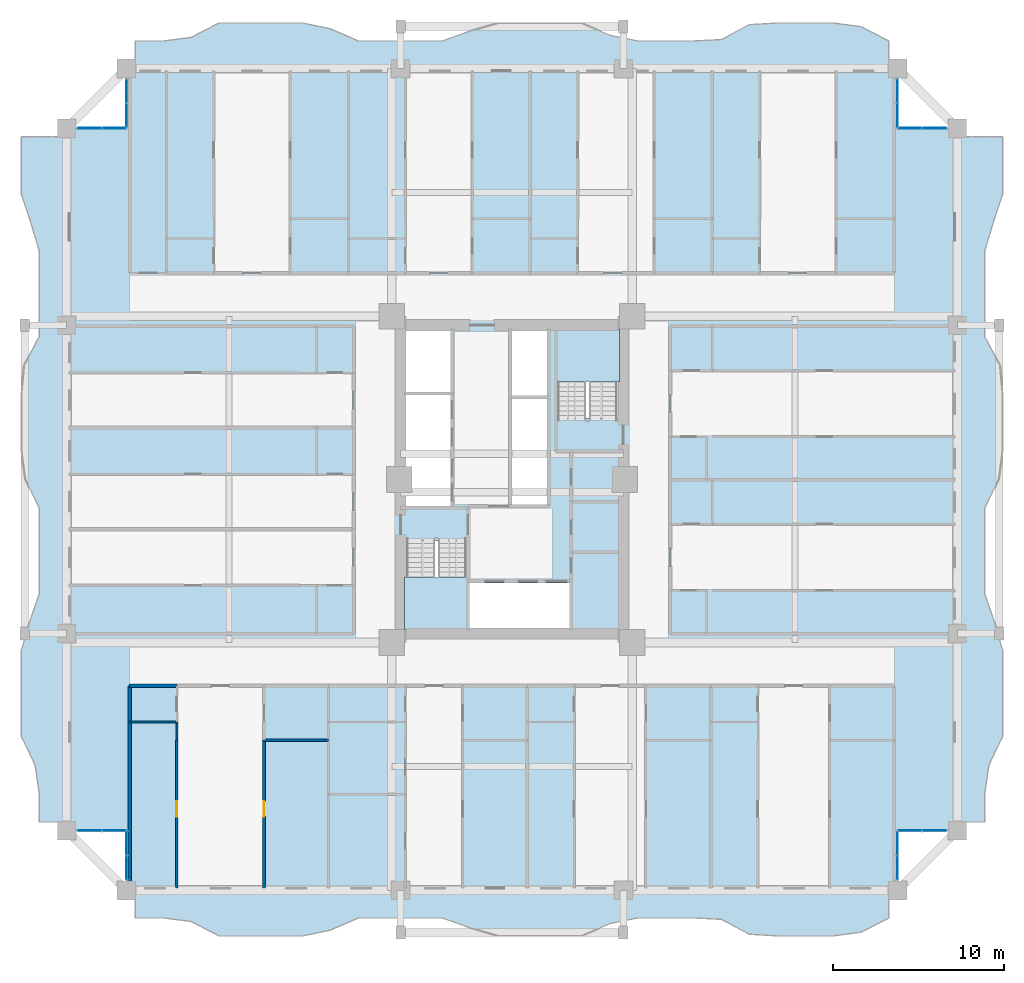
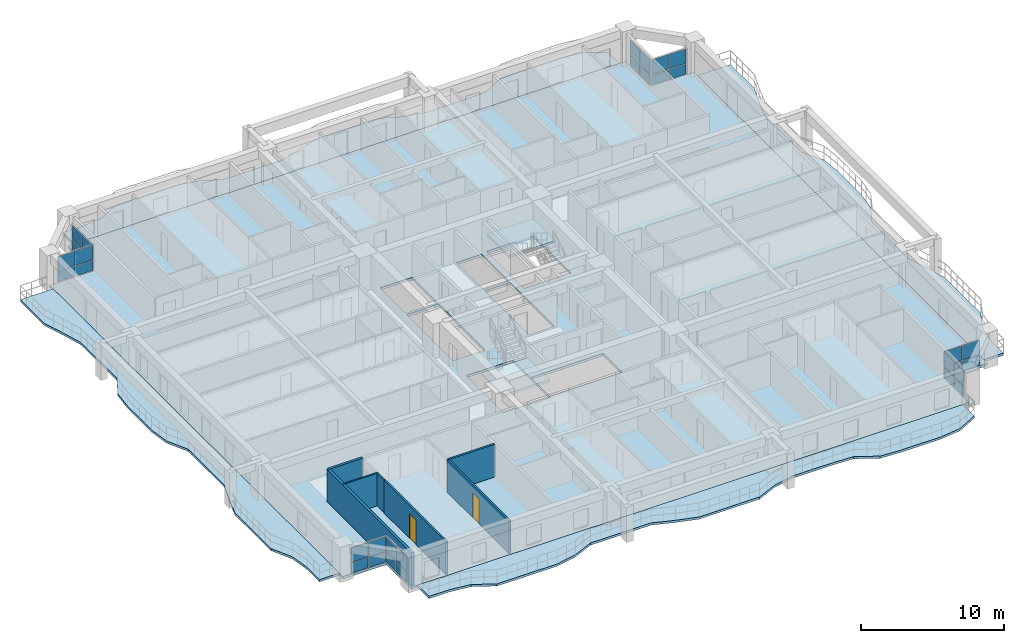
# One storey, part 13 of 27: 32 plates, 7 slabs, 7 walls, 2 doors, 2 openings, 10 elements without a shape of their own.
"""IFC4 building model written with IfcOpenShell, lengths in metres."""

from ifc_helpers import new_model, si_unit, direction, frame, frame_2d, origin, origin_2d, place, context, subcontext, project, spatial, polyline, rectangle, outline, extrude, source, transform, mapped, material, layer, layer_set, type_object, element, fill, aggregate, save


model = new_model("IFC4")

# Units and contexts
model_context = context("Model", 3, precision=1e-05, world=origin(), true_north=direction((0.0, 1.0)))
body_context = subcontext(model_context, "Body", "Model", "MODEL_VIEW")
ifc_project = project(units=[si_unit("LENGTHUNIT", "METRE"), si_unit("AREAUNIT", "SQUARE_METRE"), si_unit("VOLUMEUNIT", "CUBIC_METRE"), si_unit("PLANEANGLEUNIT", "RADIAN"), si_unit("MASSUNIT", "GRAM", prefix="KILO")], contexts=[model_context])

# Site, building, storey
site_placement = place(None, origin())
site = spatial("IfcSite", under=ifc_project, at=site_placement, CompositionType="ELEMENT")
building_placement = place(site_placement, origin())
building = spatial("IfcBuilding", under=site, at=building_placement, Name="Saelheon Loggia Tower", CompositionType="ELEMENT")
storey_placement = place(building_placement, frame((0.0, 0.0, 34.39990234375)))
storey = spatial("IfcBuildingStorey", under=building, at=storey_placement, Name="L10", CompositionType="ELEMENT", Elevation=34.39990234375)

# Slabs
ifc_material_1 = material(Name="Precast Concrete C45/55", Category="concrete")
ifc_layer_1 = layer(ifc_material_1, 0.18994140625)
ifc_layer_set_1 = layer_set([ifc_layer_1], Name="Precast Concrete C45/55")
slab_type_1 = type_object("IfcSlabType", Name="Slab_Loggia_Ext_190", PredefinedType="FLOOR", material=ifc_layer_set_1)
slab_1_placement = place(storey_placement, frame((0.0, 0.0, -0.18994140625)))
element("IfcSlab", 1, at=slab_1_placement, inside=storey, type_object=slab_type_1, Name="L10 Loggia Balcony Slab S", PredefinedType="FLOOR", context=body_context, shape_type="SweptSolid", body=[
    extrude(outline(polyline([(16.0, 1.39990234375), (17.629638671875, 1.39990234375), (19.25927734375, 1.194580078125), (20.888916015625, 0.35009765625), (22.5185546875, 0.35009765625), (24.148193359375, 0.35009765625), (25.77783203125, 0.35009765625), (27.407470703125, 0.69140625), (29.037109375, 1.39990234375), (30.666748046875, 1.39990234375), (32.29638671875, 1.39990234375), (33.92578125, 1.39990234375), (35.5556640625, 0.81982421875), (37.185302734375, 0.35009765625), (38.814697265625, 0.35009765625), (40.4443359375, 0.35009765625), (42.07421875, 0.35009765625), (43.70361328125, 1.068603515625), (45.333251953125, 1.39990234375), (46.962890625, 1.39990234375), (48.592529296875, 1.39990234375), (50.22216796875, 1.3173828125), (51.851806640625, 0.447509765625), (53.4814453125, 0.35009765625), (55.111083984375, 0.35009765625), (56.74072265625, 0.35009765625), (58.370361328125, 0.564208984375), (60.0, 1.39990234375), (60.0, 3.0), (16.0, 3.0), (16.0, 1.39990234375)])), origin(), (0.0, 0.0, 1.0), 0.18994140625),
])
slab_2_placement = place(storey_placement, frame((0.0, 0.0, -0.18994140625)))
element("IfcSlab", 2, at=slab_2_placement, inside=storey, type_object=slab_type_1, Name="L10 Loggia Balcony Slab N", PredefinedType="FLOOR", context=body_context, shape_type="SweptSolid", body=[
    extrude(outline(polyline([(16.0, 51.0), (60.0, 51.0), (60.0, 52.60009765625), (58.370361328125, 53.435791015625), (56.74072265625, 53.64990234375), (55.111083984375, 53.64990234375), (53.4814453125, 53.64990234375), (51.851806640625, 53.552490234375), (50.22216796875, 52.6826171875), (48.592529296875, 52.60009765625), (46.962890625, 52.60009765625), (45.333251953125, 52.60009765625), (43.70361328125, 52.931396484375), (42.07421875, 53.64990234375), (40.4443359375, 53.64990234375), (38.814697265625, 53.64990234375), (37.185302734375, 53.64990234375), (35.5556640625, 53.18017578125), (33.92578125, 52.60009765625), (32.29638671875, 52.60009765625), (30.666748046875, 52.60009765625), (29.037109375, 52.60009765625), (27.407470703125, 53.30859375), (25.77783203125, 53.64990234375), (24.148193359375, 53.64990234375), (22.5185546875, 53.64990234375), (20.888916015625, 53.64990234375), (19.25927734375, 52.805419921875), (17.629638671875, 52.60009765625), (16.0, 52.60009765625), (16.0, 51.0)])), origin(), (0.0, 0.0, 1.0), 0.18994140625),
])
slab_3_placement = place(storey_placement, frame((0.0, 0.0, -0.18994140625)))
element("IfcSlab", 3, at=slab_3_placement, inside=storey, type_object=slab_type_1, Name="L10 Loggia Balcony Slab E", PredefinedType="FLOOR", context=body_context, shape_type="SweptSolid", body=[
    extrude(outline(polyline([(64.0, 7.0), (65.60009765625, 7.0), (65.60009765625, 8.666748046875), (65.844482421875, 10.333251953125), (66.64990234375, 12.0), (66.64990234375, 13.666748046875), (66.64990234375, 15.333251953125), (66.64990234375, 17.0), (66.168212890625, 18.666748046875), (65.60009765625, 20.333251953125), (65.60009765625, 22.0), (65.60009765625, 23.666748046875), (65.60009765625, 25.333251953125), (66.419921875, 27.0), (66.64990234375, 28.666748046875), (66.64990234375, 30.333251953125), (66.64990234375, 32.0), (66.490478515625, 33.666748046875), (65.604248046875, 35.333251953125), (65.60009765625, 37.0), (65.60009765625, 38.666748046875), (65.60009765625, 40.333251953125), (66.095703125, 42.0), (66.64990234375, 43.666748046875), (66.64990234375, 45.333251953125), (66.64990234375, 47.0), (64.0, 47.0), (64.0, 7.0)])), origin(), (0.0, 0.0, 1.0), 0.18994140625),
])
slab_4_placement = place(storey_placement, frame((0.0, 0.0, -0.18994140625)))
element("IfcSlab", 4, at=slab_4_placement, inside=storey, type_object=slab_type_1, Name="L10 Loggia Balcony Slab W", PredefinedType="FLOOR", context=body_context, shape_type="SweptSolid", body=[
    extrude(outline(polyline([(12.0, 7.0), (12.0, 47.0), (9.35009765625, 47.0), (9.35009765625, 45.333251953125), (9.35009765625, 43.666748046875), (9.904296875, 42.0), (10.39990234375, 40.333251953125), (10.39990234375, 38.666748046875), (10.39990234375, 37.0), (10.395751953125, 35.333251953125), (9.509521484375, 33.666748046875), (9.35009765625, 32.0), (9.35009765625, 30.333251953125), (9.35009765625, 28.666748046875), (9.580078125, 27.0), (10.39990234375, 25.333251953125), (10.39990234375, 23.666748046875), (10.39990234375, 22.0), (10.39990234375, 20.333251953125), (9.831787109375, 18.666748046875), (9.35009765625, 17.0), (9.35009765625, 15.333251953125), (9.35009765625, 13.666748046875), (9.35009765625, 12.0), (10.155517578125, 10.333251953125), (10.39990234375, 8.666748046875), (10.39990234375, 7.0), (12.0, 7.0)])), origin(), (0.0, 0.0, 1.0), 0.18994140625),
])

# Stair, slab
ifc_material_2 = material(Name="Concrete C40/50", Category="concrete")
stair_type = type_object("IfcStairType", Name="Stair_Escape_Core", PredefinedType="HALF_TURN_STAIR", material=ifc_material_2)
stair_1_placement = place(storey_placement, origin())
stair_1 = element("IfcStair", 5, at=stair_1_placement, inside=storey, type_object=stair_type, Name="L10 Special Escape Stair ST1", PredefinedType="HALF_TURN_STAIR")
ifc_layer_2 = layer(ifc_material_2, 0.199951171875)
ifc_layer_set_2 = layer_set([ifc_layer_2], Name="Concrete C40/50")
slab_type_2 = type_object("IfcSlabType", Name="Slab_StairLanding_ST1", PredefinedType="LANDING", material=ifc_layer_set_2)
slab_5_placement = place(storey_placement, frame((0.0, 0.0, 1.300048828125)))
slab_5 = element("IfcSlab", 6, at=slab_5_placement, type_object=slab_type_2, Name="ST1 landing 1", PredefinedType="LANDING", context=body_context, shape_type="SweptSolid", body=[
    extrude(outline(polyline([(31.7099609375, 21.31005859375), (31.7099609375, 18.2099609375), (35.469970703125, 18.2099609375), (35.469970703125, 21.31005859375), (31.7099609375, 21.31005859375)])), origin(), (0.0, 0.0, 1.0), 0.199951171875),
])
aggregate(stair_1, [slab_5])

stair_2_placement = place(storey_placement, origin())
stair_2 = element("IfcStair", 7, at=stair_2_placement, inside=storey, type_object=stair_type, Name="L10 Special Escape Stair ST2", PredefinedType="HALF_TURN_STAIR")
ifc_layer_3 = layer(ifc_material_2, 0.199951171875)
ifc_layer_set_3 = layer_set([ifc_layer_3], Name="Concrete C40/50")
slab_type_3 = type_object("IfcSlabType", Name="Slab_StairLanding_ST2", PredefinedType="LANDING", material=ifc_layer_set_3)
slab_6_placement = place(storey_placement, frame((0.0, 0.0, 1.300048828125)))
slab_6 = element("IfcSlab", 8, at=slab_6_placement, type_object=slab_type_3, Name="ST2 landing 1", PredefinedType="LANDING", context=body_context, shape_type="SweptSolid", body=[
    extrude(outline(polyline([(44.2900390625, 32.68994140625), (44.2900390625, 35.7900390625), (40.530029296875, 35.7900390625), (40.530029296875, 32.68994140625), (44.2900390625, 32.68994140625)])), origin(), (0.0, 0.0, 1.0), 0.199951171875),
])
aggregate(stair_2, [slab_6])

# Slab
ifc_layer_4 = layer(ifc_material_2, 0.2099609375)
ifc_layer_set_4 = layer_set([ifc_layer_4], Name="Concrete C40/50")
slab_type_4 = type_object("IfcSlabType", Name="Slab_Tower_210", PredefinedType="FLOOR", material=ifc_layer_set_4)
slab_7_placement = place(storey_placement, frame((0.0, 0.0, -0.2099609375)))
element("IfcSlab", 9, at=slab_7_placement, inside=storey, type_object=slab_type_4, Name="L10 Tower Floor Slab", PredefinedType="FLOOR", context=body_context, shape_type="SweptSolid", body=[
    extrude(outline(polyline([(15.5, 3.0), (60.5, 3.0), (60.5, 6.5), (64.0, 6.5), (64.0, 47.5), (60.5, 47.5), (60.5, 51.0), (15.5, 51.0), (15.5, 47.5), (12.0, 47.5), (12.0, 6.5), (15.5, 6.5), (15.5, 3.0)]), holes=[polyline([(31.699951171875, 23.409912109375), (31.699951171875, 18.199951171875), (35.47998046875, 18.199951171875), (35.47998046875, 23.409912109375), (31.699951171875, 23.409912109375)]), polyline([(44.300048828125, 30.590087890625), (44.300048828125, 35.800048828125), (40.52001953125, 35.800048828125), (40.52001953125, 30.590087890625), (44.300048828125, 30.590087890625)]), polyline([(35.530029296875, 18.324951171875), (41.35009765625, 18.324951171875), (41.35009765625, 20.9599609375), (35.530029296875, 20.9599609375), (35.530029296875, 18.324951171875)]), polyline([(31.824951171875, 32.1201171875), (34.419921875, 32.1201171875), (34.419921875, 35.675048828125), (31.824951171875, 35.675048828125), (31.824951171875, 32.1201171875)]), polyline([(38.0, 31.89990234375), (40.050048828125, 31.89990234375), (40.050048828125, 35.675048828125), (38.0, 35.675048828125), (38.0, 31.89990234375)]), polyline([(31.824951171875, 25.449951171875), (34.419921875, 25.449951171875), (34.419921875, 31.919921875), (31.824951171875, 31.919921875), (31.824951171875, 25.449951171875)]), polyline([(38.0, 25.5400390625), (40.050048828125, 25.5400390625), (40.050048828125, 31.699951171875), (38.0, 31.699951171875), (38.0, 25.5400390625)])]), origin(), (0.0, 0.0, 1.0), 0.2099609375),
])

# Curtain wall, plates
ifc_material_3 = material(Name="Thermal-Break Aluminium and Triple Low-E Glass", Category="aluminium")
ifc_layer_5 = layer(ifc_material_3, 0.159912109375)
ifc_layer_set_5 = layer_set([ifc_layer_5], Name="Thermal-Break Aluminium and Triple Low-E Glass")
curtain_wall_type = type_object("IfcCurtainWallType", Name="CW_TowerLoggiaLow", PredefinedType="NOTDEFINED", material=ifc_layer_set_5)
curtain_wall_1_placement = place(storey_placement, origin())
curtain_wall_1 = element("IfcCurtainWall", 10, at=curtain_wall_1_placement, inside=storey, type_object=curtain_wall_type, Name="L10 Corner Notch Glazing SW1", PredefinedType="NOTDEFINED")
ifc_material_4 = material(Name="Triple Low-E Laminated Glazing", Category="glass")
ifc_layer_6 = layer(ifc_material_4, 0.0419921875)
ifc_layer_set_6 = layer_set([ifc_layer_6], Name="Triple Low-E Laminated Glazing")
plate_type = type_object("IfcPlateType", Name="CW_TowerLoggiaLow_Panel", PredefinedType="CURTAIN_PANEL", material=ifc_layer_set_6)
shared_shape_1 = source(origin(), body_context, "Body", "SweptSolid", [
    extrude(rectangle(XDim=1.357421875, YDim=0.0419921875, at=origin_2d()), origin(), (0.0, 0.0, 1.0), 0.8525390625),
])
plate_1_placement = place(storey_placement, frame((15.5, 4.333740234375, 0.065185546875), z_axis=(0.0, 0.0, 1.0), x_axis=(0.0, 1.0, 0.0)))
plate_1 = element("IfcPlate", 11, at=plate_1_placement, type_object=plate_type, Name="CW3 panel 1.1", PredefinedType="CURTAIN_PANEL", context=body_context, shape_type="MappedRepresentation", body=[
    mapped(shared_shape_1, transform((0.0, 0.0, 0.0), scale=1.0)),
])
plate_2_placement = place(storey_placement, frame((15.5, 5.75634765625, 0.065185546875), z_axis=(0.0, 0.0, 1.0), x_axis=(0.0, 1.0, 0.0)))
plate_2 = element("IfcPlate", 12, at=plate_2_placement, type_object=plate_type, Name="CW3 panel 2.1", PredefinedType="CURTAIN_PANEL", context=body_context, shape_type="MappedRepresentation", body=[
    mapped(shared_shape_1, transform((0.0, 0.0, 0.0), scale=1.0)),
])

curtain_wall_2_placement = place(storey_placement, origin())
curtain_wall_2 = element("IfcCurtainWall", 13, at=curtain_wall_2_placement, inside=storey, type_object=curtain_wall_type, Name="L10 Corner Notch Glazing SW2", PredefinedType="NOTDEFINED")
plate_3_placement = place(storey_placement, frame((13.333740234375, 6.5, 0.065185546875), z_axis=(0.0, 0.0, 1.0), x_axis=(1.0, 0.0, 0.0)))
plate_3 = element("IfcPlate", 14, at=plate_3_placement, type_object=plate_type, Name="CW3 panel 1.1", PredefinedType="CURTAIN_PANEL", context=body_context, shape_type="MappedRepresentation", body=[
    mapped(shared_shape_1, transform((0.0, 0.0, 0.0), scale=1.0)),
])
plate_4_placement = place(storey_placement, frame((14.75634765625, 6.5, 0.065185546875), z_axis=(0.0, 0.0, 1.0), x_axis=(1.0, 0.0, 0.0)))
plate_4 = element("IfcPlate", 15, at=plate_4_placement, type_object=plate_type, Name="CW3 panel 2.1", PredefinedType="CURTAIN_PANEL", context=body_context, shape_type="MappedRepresentation", body=[
    mapped(shared_shape_1, transform((0.0, 0.0, 0.0), scale=1.0)),
])

curtain_wall_3_placement = place(storey_placement, origin())
curtain_wall_3 = element("IfcCurtainWall", 16, at=curtain_wall_3_placement, inside=storey, type_object=curtain_wall_type, Name="L10 Corner Notch Glazing SE1", PredefinedType="NOTDEFINED")
plate_5_placement = place(storey_placement, frame((60.5, 4.333740234375, 0.065185546875), z_axis=(0.0, 0.0, 1.0), x_axis=(0.0, 1.0, 0.0)))
plate_5 = element("IfcPlate", 17, at=plate_5_placement, type_object=plate_type, Name="CW3 panel 1.1", PredefinedType="CURTAIN_PANEL", context=body_context, shape_type="MappedRepresentation", body=[
    mapped(shared_shape_1, transform((0.0, 0.0, 0.0), scale=1.0)),
])
plate_6_placement = place(storey_placement, frame((60.5, 5.75634765625, 0.065185546875), z_axis=(0.0, 0.0, 1.0), x_axis=(0.0, 1.0, 0.0)))
plate_6 = element("IfcPlate", 18, at=plate_6_placement, type_object=plate_type, Name="CW3 panel 2.1", PredefinedType="CURTAIN_PANEL", context=body_context, shape_type="MappedRepresentation", body=[
    mapped(shared_shape_1, transform((0.0, 0.0, 0.0), scale=1.0)),
])

curtain_wall_4_placement = place(storey_placement, origin())
curtain_wall_4 = element("IfcCurtainWall", 19, at=curtain_wall_4_placement, inside=storey, type_object=curtain_wall_type, Name="L10 Corner Notch Glazing SE2", PredefinedType="NOTDEFINED")
plate_7_placement = place(storey_placement, frame((61.24365234375, 6.5, 0.065185546875), z_axis=(0.0, 0.0, 1.0), x_axis=(1.0, 0.0, 0.0)))
plate_7 = element("IfcPlate", 20, at=plate_7_placement, type_object=plate_type, Name="CW3 panel 1.1", PredefinedType="CURTAIN_PANEL", context=body_context, shape_type="MappedRepresentation", body=[
    mapped(shared_shape_1, transform((0.0, 0.0, 0.0), scale=1.0)),
])
plate_8_placement = place(storey_placement, frame((62.666259765625, 6.5, 0.065185546875), z_axis=(0.0, 0.0, 1.0), x_axis=(1.0, 0.0, 0.0)))
plate_8 = element("IfcPlate", 21, at=plate_8_placement, type_object=plate_type, Name="CW3 panel 2.1", PredefinedType="CURTAIN_PANEL", context=body_context, shape_type="MappedRepresentation", body=[
    mapped(shared_shape_1, transform((0.0, 0.0, 0.0), scale=1.0)),
])

curtain_wall_5_placement = place(storey_placement, origin())
curtain_wall_5 = element("IfcCurtainWall", 22, at=curtain_wall_5_placement, inside=storey, type_object=curtain_wall_type, Name="L10 Corner Notch Glazing NW1", PredefinedType="NOTDEFINED")
plate_9_placement = place(storey_placement, frame((15.5, 48.24365234375, 0.065185546875), z_axis=(0.0, 0.0, 1.0), x_axis=(0.0, 1.0, 0.0)))
plate_9 = element("IfcPlate", 23, at=plate_9_placement, type_object=plate_type, Name="CW3 panel 1.1", PredefinedType="CURTAIN_PANEL", context=body_context, shape_type="MappedRepresentation", body=[
    mapped(shared_shape_1, transform((0.0, 0.0, 0.0), scale=1.0)),
])
plate_10_placement = place(storey_placement, frame((15.5, 49.666259765625, 0.065185546875), z_axis=(0.0, 0.0, 1.0), x_axis=(0.0, 1.0, 0.0)))
plate_10 = element("IfcPlate", 24, at=plate_10_placement, type_object=plate_type, Name="CW3 panel 2.1", PredefinedType="CURTAIN_PANEL", context=body_context, shape_type="MappedRepresentation", body=[
    mapped(shared_shape_1, transform((0.0, 0.0, 0.0), scale=1.0)),
])

curtain_wall_6_placement = place(storey_placement, origin())
curtain_wall_6 = element("IfcCurtainWall", 25, at=curtain_wall_6_placement, inside=storey, type_object=curtain_wall_type, Name="L10 Corner Notch Glazing NW2", PredefinedType="NOTDEFINED")
plate_11_placement = place(storey_placement, frame((13.333740234375, 47.5, 0.065185546875), z_axis=(0.0, 0.0, 1.0), x_axis=(1.0, 0.0, 0.0)))
plate_11 = element("IfcPlate", 26, at=plate_11_placement, type_object=plate_type, Name="CW3 panel 1.1", PredefinedType="CURTAIN_PANEL", context=body_context, shape_type="MappedRepresentation", body=[
    mapped(shared_shape_1, transform((0.0, 0.0, 0.0), scale=1.0)),
])
plate_12_placement = place(storey_placement, frame((14.75634765625, 47.5, 0.065185546875), z_axis=(0.0, 0.0, 1.0), x_axis=(1.0, 0.0, 0.0)))
plate_12 = element("IfcPlate", 27, at=plate_12_placement, type_object=plate_type, Name="CW3 panel 2.1", PredefinedType="CURTAIN_PANEL", context=body_context, shape_type="MappedRepresentation", body=[
    mapped(shared_shape_1, transform((0.0, 0.0, 0.0), scale=1.0)),
])

curtain_wall_7_placement = place(storey_placement, origin())
curtain_wall_7 = element("IfcCurtainWall", 28, at=curtain_wall_7_placement, inside=storey, type_object=curtain_wall_type, Name="L10 Corner Notch Glazing NE1", PredefinedType="NOTDEFINED")
plate_13_placement = place(storey_placement, frame((60.5, 48.24365234375, 0.065185546875), z_axis=(0.0, 0.0, 1.0), x_axis=(0.0, 1.0, 0.0)))
plate_13 = element("IfcPlate", 29, at=plate_13_placement, type_object=plate_type, Name="CW3 panel 1.1", PredefinedType="CURTAIN_PANEL", context=body_context, shape_type="MappedRepresentation", body=[
    mapped(shared_shape_1, transform((0.0, 0.0, 0.0), scale=1.0)),
])
plate_14_placement = place(storey_placement, frame((60.5, 49.666259765625, 0.065185546875), z_axis=(0.0, 0.0, 1.0), x_axis=(0.0, 1.0, 0.0)))
plate_14 = element("IfcPlate", 30, at=plate_14_placement, type_object=plate_type, Name="CW3 panel 2.1", PredefinedType="CURTAIN_PANEL", context=body_context, shape_type="MappedRepresentation", body=[
    mapped(shared_shape_1, transform((0.0, 0.0, 0.0), scale=1.0)),
])

curtain_wall_8_placement = place(storey_placement, origin())
curtain_wall_8 = element("IfcCurtainWall", 31, at=curtain_wall_8_placement, inside=storey, type_object=curtain_wall_type, Name="L10 Corner Notch Glazing NE2", PredefinedType="NOTDEFINED")
plate_15_placement = place(storey_placement, frame((61.24365234375, 47.5, 0.065185546875), z_axis=(0.0, 0.0, 1.0), x_axis=(1.0, 0.0, 0.0)))
plate_15 = element("IfcPlate", 32, at=plate_15_placement, type_object=plate_type, Name="CW3 panel 1.1", PredefinedType="CURTAIN_PANEL", context=body_context, shape_type="MappedRepresentation", body=[
    mapped(shared_shape_1, transform((0.0, 0.0, 0.0), scale=1.0)),
])
plate_16_placement = place(storey_placement, frame((62.666259765625, 47.5, 0.065185546875), z_axis=(0.0, 0.0, 1.0), x_axis=(1.0, 0.0, 0.0)))
plate_16 = element("IfcPlate", 33, at=plate_16_placement, type_object=plate_type, Name="CW3 panel 2.1", PredefinedType="CURTAIN_PANEL", context=body_context, shape_type="MappedRepresentation", body=[
    mapped(shared_shape_1, transform((0.0, 0.0, 0.0), scale=1.0)),
])

# Plate
shared_shape_2 = source(origin(), body_context, "Body", "SweptSolid", [
    extrude(rectangle(XDim=1.357421875, YDim=0.0419921875, at=origin_2d()), origin(), (0.0, 0.0, 1.0), 1.232421875),
])
plate_17_placement = place(storey_placement, frame((15.5, 4.333740234375, 0.982666015625), z_axis=(0.0, 0.0, 1.0), x_axis=(0.0, 1.0, 0.0)))
plate_17 = element("IfcPlate", 34, at=plate_17_placement, type_object=plate_type, Name="CW3 panel 1.2", PredefinedType="CURTAIN_PANEL", context=body_context, shape_type="MappedRepresentation", body=[
    mapped(shared_shape_2, transform((0.0, 0.0, 0.0), scale=1.0)),
])

plate_18_placement = place(storey_placement, frame((15.5, 5.75634765625, 0.982666015625), z_axis=(0.0, 0.0, 1.0), x_axis=(0.0, 1.0, 0.0)))
plate_18 = element("IfcPlate", 35, at=plate_18_placement, type_object=plate_type, Name="CW3 panel 2.2", PredefinedType="CURTAIN_PANEL", context=body_context, shape_type="MappedRepresentation", body=[
    mapped(shared_shape_2, transform((0.0, 0.0, 0.0), scale=1.0)),
])

aggregate(curtain_wall_1, [plate_1, plate_17, plate_2, plate_18])

plate_19_placement = place(storey_placement, frame((13.333740234375, 6.5, 0.982666015625), z_axis=(0.0, 0.0, 1.0), x_axis=(1.0, 0.0, 0.0)))
plate_19 = element("IfcPlate", 36, at=plate_19_placement, type_object=plate_type, Name="CW3 panel 1.2", PredefinedType="CURTAIN_PANEL", context=body_context, shape_type="MappedRepresentation", body=[
    mapped(shared_shape_2, transform((0.0, 0.0, 0.0), scale=1.0)),
])

plate_20_placement = place(storey_placement, frame((14.75634765625, 6.5, 0.982666015625), z_axis=(0.0, 0.0, 1.0), x_axis=(1.0, 0.0, 0.0)))
plate_20 = element("IfcPlate", 37, at=plate_20_placement, type_object=plate_type, Name="CW3 panel 2.2", PredefinedType="CURTAIN_PANEL", context=body_context, shape_type="MappedRepresentation", body=[
    mapped(shared_shape_2, transform((0.0, 0.0, 0.0), scale=1.0)),
])

aggregate(curtain_wall_2, [plate_3, plate_19, plate_4, plate_20])

plate_21_placement = place(storey_placement, frame((60.5, 4.333740234375, 0.982666015625), z_axis=(0.0, 0.0, 1.0), x_axis=(0.0, 1.0, 0.0)))
plate_21 = element("IfcPlate", 38, at=plate_21_placement, type_object=plate_type, Name="CW3 panel 1.2", PredefinedType="CURTAIN_PANEL", context=body_context, shape_type="MappedRepresentation", body=[
    mapped(shared_shape_2, transform((0.0, 0.0, 0.0), scale=1.0)),
])

plate_22_placement = place(storey_placement, frame((60.5, 5.75634765625, 0.982666015625), z_axis=(0.0, 0.0, 1.0), x_axis=(0.0, 1.0, 0.0)))
plate_22 = element("IfcPlate", 39, at=plate_22_placement, type_object=plate_type, Name="CW3 panel 2.2", PredefinedType="CURTAIN_PANEL", context=body_context, shape_type="MappedRepresentation", body=[
    mapped(shared_shape_2, transform((0.0, 0.0, 0.0), scale=1.0)),
])

aggregate(curtain_wall_3, [plate_5, plate_21, plate_6, plate_22])

plate_23_placement = place(storey_placement, frame((61.24365234375, 6.5, 0.982666015625), z_axis=(0.0, 0.0, 1.0), x_axis=(1.0, 0.0, 0.0)))
plate_23 = element("IfcPlate", 40, at=plate_23_placement, type_object=plate_type, Name="CW3 panel 1.2", PredefinedType="CURTAIN_PANEL", context=body_context, shape_type="MappedRepresentation", body=[
    mapped(shared_shape_2, transform((0.0, 0.0, 0.0), scale=1.0)),
])

plate_24_placement = place(storey_placement, frame((62.666259765625, 6.5, 0.982666015625), z_axis=(0.0, 0.0, 1.0), x_axis=(1.0, 0.0, 0.0)))
plate_24 = element("IfcPlate", 41, at=plate_24_placement, type_object=plate_type, Name="CW3 panel 2.2", PredefinedType="CURTAIN_PANEL", context=body_context, shape_type="MappedRepresentation", body=[
    mapped(shared_shape_2, transform((0.0, 0.0, 0.0), scale=1.0)),
])

aggregate(curtain_wall_4, [plate_7, plate_23, plate_8, plate_24])

plate_25_placement = place(storey_placement, frame((15.5, 48.24365234375, 0.982666015625), z_axis=(0.0, 0.0, 1.0), x_axis=(0.0, 1.0, 0.0)))
plate_25 = element("IfcPlate", 42, at=plate_25_placement, type_object=plate_type, Name="CW3 panel 1.2", PredefinedType="CURTAIN_PANEL", context=body_context, shape_type="MappedRepresentation", body=[
    mapped(shared_shape_2, transform((0.0, 0.0, 0.0), scale=1.0)),
])

plate_26_placement = place(storey_placement, frame((15.5, 49.666259765625, 0.982666015625), z_axis=(0.0, 0.0, 1.0), x_axis=(0.0, 1.0, 0.0)))
plate_26 = element("IfcPlate", 43, at=plate_26_placement, type_object=plate_type, Name="CW3 panel 2.2", PredefinedType="CURTAIN_PANEL", context=body_context, shape_type="MappedRepresentation", body=[
    mapped(shared_shape_2, transform((0.0, 0.0, 0.0), scale=1.0)),
])

aggregate(curtain_wall_5, [plate_9, plate_25, plate_10, plate_26])

plate_27_placement = place(storey_placement, frame((13.333740234375, 47.5, 0.982666015625), z_axis=(0.0, 0.0, 1.0), x_axis=(1.0, 0.0, 0.0)))
plate_27 = element("IfcPlate", 44, at=plate_27_placement, type_object=plate_type, Name="CW3 panel 1.2", PredefinedType="CURTAIN_PANEL", context=body_context, shape_type="MappedRepresentation", body=[
    mapped(shared_shape_2, transform((0.0, 0.0, 0.0), scale=1.0)),
])

plate_28_placement = place(storey_placement, frame((14.75634765625, 47.5, 0.982666015625), z_axis=(0.0, 0.0, 1.0), x_axis=(1.0, 0.0, 0.0)))
plate_28 = element("IfcPlate", 45, at=plate_28_placement, type_object=plate_type, Name="CW3 panel 2.2", PredefinedType="CURTAIN_PANEL", context=body_context, shape_type="MappedRepresentation", body=[
    mapped(shared_shape_2, transform((0.0, 0.0, 0.0), scale=1.0)),
])

aggregate(curtain_wall_6, [plate_11, plate_27, plate_12, plate_28])

plate_29_placement = place(storey_placement, frame((60.5, 48.24365234375, 0.982666015625), z_axis=(0.0, 0.0, 1.0), x_axis=(0.0, 1.0, 0.0)))
plate_29 = element("IfcPlate", 46, at=plate_29_placement, type_object=plate_type, Name="CW3 panel 1.2", PredefinedType="CURTAIN_PANEL", context=body_context, shape_type="MappedRepresentation", body=[
    mapped(shared_shape_2, transform((0.0, 0.0, 0.0), scale=1.0)),
])

plate_30_placement = place(storey_placement, frame((60.5, 49.666259765625, 0.982666015625), z_axis=(0.0, 0.0, 1.0), x_axis=(0.0, 1.0, 0.0)))
plate_30 = element("IfcPlate", 47, at=plate_30_placement, type_object=plate_type, Name="CW3 panel 2.2", PredefinedType="CURTAIN_PANEL", context=body_context, shape_type="MappedRepresentation", body=[
    mapped(shared_shape_2, transform((0.0, 0.0, 0.0), scale=1.0)),
])

aggregate(curtain_wall_7, [plate_13, plate_29, plate_14, plate_30])

plate_31_placement = place(storey_placement, frame((61.24365234375, 47.5, 0.982666015625), z_axis=(0.0, 0.0, 1.0), x_axis=(1.0, 0.0, 0.0)))
plate_31 = element("IfcPlate", 48, at=plate_31_placement, type_object=plate_type, Name="CW3 panel 1.2", PredefinedType="CURTAIN_PANEL", context=body_context, shape_type="MappedRepresentation", body=[
    mapped(shared_shape_2, transform((0.0, 0.0, 0.0), scale=1.0)),
])

plate_32_placement = place(storey_placement, frame((62.666259765625, 47.5, 0.982666015625), z_axis=(0.0, 0.0, 1.0), x_axis=(1.0, 0.0, 0.0)))
plate_32 = element("IfcPlate", 49, at=plate_32_placement, type_object=plate_type, Name="CW3 panel 2.2", PredefinedType="CURTAIN_PANEL", context=body_context, shape_type="MappedRepresentation", body=[
    mapped(shared_shape_2, transform((0.0, 0.0, 0.0), scale=1.0)),
])

aggregate(curtain_wall_8, [plate_15, plate_31, plate_16, plate_32])

# Wall
ifc_material_5 = material(Name="Lightweight Autoclaved Aerated Concrete Block and Acoustic Gypsum", Category="concrete")
ifc_layer_7 = layer(ifc_material_5, 0.14990234375)
ifc_layer_set_7 = layer_set([ifc_layer_7], Name="Lightweight Autoclaved Aerated Concrete Block and Acoustic Gypsum")
wall_type_1 = type_object("IfcWallType", Name="Wall_Part_150", PredefinedType="PARTITIONING", material=ifc_layer_set_7)
wall_1_placement = place(storey_placement, frame((23.5205078125, 11.780029296875, 0.0), z_axis=(0.0, 0.0, 1.0), x_axis=(1.0, 0.0, 0.0)))
element("IfcWall", 50, at=wall_1_placement, inside=storey, type_object=wall_type_1, Name="L10 S Partition V07", PredefinedType="PARTITIONING", context=body_context, shape_type="SweptSolid", body=[
    extrude(rectangle(XDim=3.765869140625, YDim=0.14990234375, at=frame_2d((1.8828125, 0.0))), origin(), (0.0, 0.0, 1.0), 2.7900390625),
])

# Wall, opening, door
wall_2_placement = place(storey_placement, frame((18.429931640625, 11.780029296875, 0.0), z_axis=(0.0, 0.0, 1.0), x_axis=(0.0, -1.0, 0.0)))
wall_2 = element("IfcWall", 51, at=wall_2_placement, inside=storey, type_object=wall_type_1, Name="L10 S Partition U10", PredefinedType="PARTITIONING", context=body_context, shape_type="SweptSolid", body=[
    extrude(rectangle(XDim=8.630126953125, YDim=0.14990234375, at=frame_2d((4.31494140625, 0.0))), origin(), (0.0, 0.0, 1.0), 2.7900390625),
])
opening_1_placement = place(wall_2_placement, frame((3.56298828125, 0.0, 0.0)))
opening_1 = element("IfcOpeningElement", 52, at=opening_1_placement, cuts=wall_2, Name="Opening D-IN2", PredefinedType="OPENING", context=body_context, shape_type="SweptSolid", body=[
    extrude(rectangle(XDim=0.89990234375, YDim=2.10009765625, at=frame_2d((0.449951171875, 1.050048828125))), frame((0.0, 0.0869140625, 0.0), z_axis=(0.0, -1.0, 0.0), x_axis=(1.0, 0.0, 0.0)), (0.0, 0.0, 1.0), 0.173828125),
])
ifc_material_6 = material(Name="Engineered Oak Flush Door", Category="timber")
door_type = type_object("IfcDoorType", Name="Door_Int_900", OperationType="NOTDEFINED", PredefinedType="DOOR", material=ifc_material_6)
shared_shape_3 = source(origin(), body_context, "Body", "SweptSolid", [
    extrude(rectangle(XDim=0.89990234375, YDim=2.10009765625, at=frame_2d((0.449951171875, 1.050048828125))), frame((0.0, 0.02490234375, 0.0), z_axis=(0.0, -1.0, 0.0), x_axis=(1.0, 0.0, 0.0)), (0.0, 0.0, 1.0), 0.050048828125),
])
door_1_placement = place(opening_1_placement, origin())
door_1 = element("IfcDoor", 53, at=door_1_placement, inside=storey, type_object=door_type, Name="Unit U01 Kitchen Door", OperationType="SINGLE_SWING_LEFT", OverallHeight=2.10009765625, OverallWidth=0.89990234375, PredefinedType="DOOR", context=body_context, shape_type="MappedRepresentation", body=[
    mapped(shared_shape_3, transform((0.0, 0.0, 0.0), scale=1.0)),
])
fill(opening_1, door_1)

wall_3_placement = place(storey_placement, frame((23.5205078125, 11.780029296875, 0.0), z_axis=(0.0, 0.0, 1.0), x_axis=(0.0, -1.0, 0.0)))
wall_3 = element("IfcWall", 54, at=wall_3_placement, inside=storey, type_object=wall_type_1, Name="L10 S Partition U12", PredefinedType="PARTITIONING", context=body_context, shape_type="SweptSolid", body=[
    extrude(rectangle(XDim=8.630126953125, YDim=0.14990234375, at=frame_2d((4.31494140625, 0.0))), origin(), (0.0, 0.0, 1.0), 2.7900390625),
])
opening_2_placement = place(wall_3_placement, frame((3.56298828125, 0.0, 0.0)))
opening_2 = element("IfcOpeningElement", 55, at=opening_2_placement, cuts=wall_3, Name="Opening D-IN2", PredefinedType="OPENING", context=body_context, shape_type="SweptSolid", body=[
    extrude(rectangle(XDim=0.89990234375, YDim=2.10009765625, at=frame_2d((0.449951171875, 1.050048828125))), frame((0.0, 0.0869140625, 0.0), z_axis=(0.0, -1.0, 0.0), x_axis=(1.0, 0.0, 0.0)), (0.0, 0.0, 1.0), 0.173828125),
])
door_2_placement = place(opening_2_placement, origin())
door_2 = element("IfcDoor", 56, at=door_2_placement, inside=storey, type_object=door_type, Name="Unit U01 Bedroom 1 Door", OperationType="SINGLE_SWING_LEFT", OverallHeight=2.10009765625, OverallWidth=0.89990234375, PredefinedType="DOOR", context=body_context, shape_type="MappedRepresentation", body=[
    mapped(shared_shape_3, transform((0.0, 0.0, 0.0), scale=1.0)),
])
fill(opening_2, door_2)

# Walls
ifc_material_7 = material(Name="Double Acoustic Stud and Fireboard Partition", Category="gypsum")
ifc_layer_8 = layer(ifc_material_7, 0.199951171875)
ifc_layer_set_8 = layer_set([ifc_layer_8], Name="Double Acoustic Stud and Fireboard Partition")
wall_type_2 = type_object("IfcWallType", Name="Wall_Party_200", PredefinedType="PARTITIONING", material=ifc_layer_set_8)
wall_4_placement = place(storey_placement, frame((15.679931640625, 14.949951171875, 0.0), z_axis=(0.0, 0.0, 1.0), x_axis=(0.0, -1.0, 0.0)))
element("IfcWall", 57, at=wall_4_placement, inside=storey, type_object=wall_type_2, Name="L10 S Partition U01", PredefinedType="PARTITIONING", context=body_context, shape_type="SweptSolid", body=[
    extrude(rectangle(XDim=11.800048828125, YDim=0.199951171875, at=frame_2d((5.89990234375, 0.0))), origin(), (0.0, 0.0, 1.0), 2.7900390625),
])
wall_5_placement = place(storey_placement, frame((15.679931640625, 14.949951171875, 0.0), z_axis=(0.0, 0.0, 1.0), x_axis=(1.0, 0.0, 0.0)))
element("IfcWall", 58, at=wall_5_placement, inside=storey, type_object=wall_type_2, Name="L10 S Partition V03", PredefinedType="PARTITIONING", context=body_context, shape_type="SweptSolid", body=[
    extrude(rectangle(XDim=2.75, YDim=0.199951171875, at=frame_2d((1.375, 0.0))), origin(), (0.0, 0.0, 1.0), 2.7900390625),
])
ifc_material_8 = material(Name="Moisture-Resistant Cement Board Partition", Category="gypsum")
ifc_layer_9 = layer(ifc_material_8, 0.1201171875)
ifc_layer_set_9 = layer_set([ifc_layer_9], Name="Moisture-Resistant Cement Board Partition")
wall_type_3 = type_object("IfcWallType", Name="Wall_WetPart_120", PredefinedType="PARTITIONING", material=ifc_layer_set_9)
wall_6_placement = place(storey_placement, frame((15.679931640625, 12.830078125, 0.0), z_axis=(0.0, 0.0, 1.0), x_axis=(1.0, 0.0, 0.0)))
element("IfcWall", 59, at=wall_6_placement, inside=storey, type_object=wall_type_3, Name="L10 S Partition V06", PredefinedType="PARTITIONING", context=body_context, shape_type="SweptSolid", body=[
    extrude(rectangle(XDim=2.75, YDim=0.1201171875, at=frame_2d((1.375, 0.0))), origin(), (0.0, 0.0, 1.0), 2.7900390625),
])
wall_7_placement = place(storey_placement, frame((18.429931640625, 12.830078125, 0.0), z_axis=(0.0, 0.0, 1.0), x_axis=(0.0, -1.0, 0.0)))
element("IfcWall", 60, at=wall_7_placement, inside=storey, type_object=wall_type_3, Name="L10 S Partition U09", PredefinedType="PARTITIONING", context=body_context, shape_type="SweptSolid", body=[
    extrude(rectangle(XDim=1.050048828125, YDim=0.1201171875, at=frame_2d((0.52490234375, 0.0))), origin(), (0.0, 0.0, 1.0), 2.7900390625),
])

save(model, "model.ifc")
